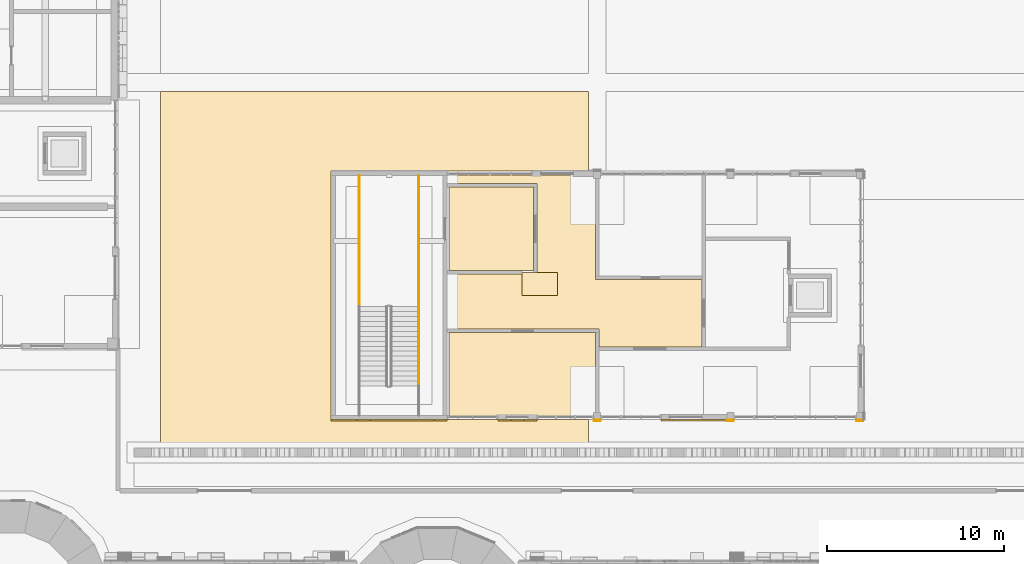
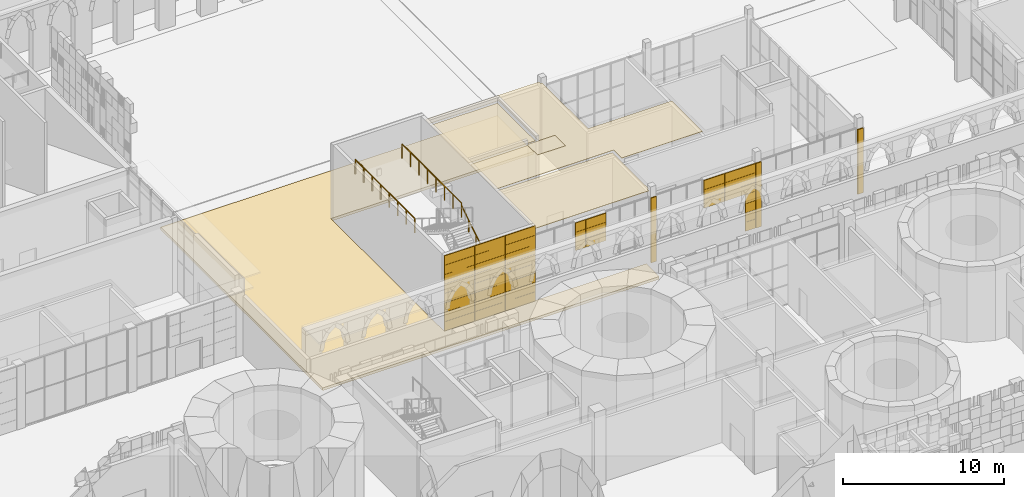
# One storey, part 96 of 125: 7 coverings, 3 railings.
"""IFC4 building model written with IfcOpenShell, lengths in metres."""

from ifc_helpers import new_model, si_unit, direction, frame, origin, origin_2d, place, context, subcontext, project, spatial, polyline, rectangle, circle, outline, extrude, material, layer, layer_set, type_object, element, save


model = new_model("IFC4")

# Units and contexts
model_context = context("Model", 3, precision=1e-05, world=origin(), true_north=direction((0.0, 1.0)))
body_context = subcontext(model_context, "Body", "Model", "MODEL_VIEW")
ifc_project = project(units=[si_unit("LENGTHUNIT", "METRE"), si_unit("AREAUNIT", "SQUARE_METRE"), si_unit("VOLUMEUNIT", "CUBIC_METRE"), si_unit("PLANEANGLEUNIT", "RADIAN"), si_unit("MASSUNIT", "GRAM", prefix="KILO")], contexts=[model_context])

# Site, building, storey
site_placement = place(None, origin())
site = spatial("IfcSite", under=ifc_project, at=site_placement, CompositionType="ELEMENT")
building_placement = place(site_placement, origin())
building = spatial("IfcBuilding", under=site, at=building_placement, Name="Sun Court Science Centre", CompositionType="ELEMENT")
storey_placement = place(building_placement, origin())
storey = spatial("IfcBuildingStorey", under=building, at=storey_placement, Name="L00", CompositionType="ELEMENT", Elevation=0.0)

# Coverings
ifc_material_1 = material(Name="Gypsum board")
ifc_layer_1 = layer(ifc_material_1, 0.030029296875)
ifc_layer_set_1 = layer_set([ifc_layer_1], Name="Gypsum board")
covering_type_1 = type_object("IfcCoveringType", Name="Ceiling suspended 600 module", PredefinedType="CEILING", material=ifc_layer_set_1)
covering_1_placement = place(storey_placement, frame((0.0, 0.0, 5.27001953125)))
element("IfcCovering", 1, at=covering_1_placement, inside=storey, type_object=covering_type_1, Name="L00-093 ceiling", PredefinedType="CEILING", context=body_context, shape_type="SweptSolid", body=[
    extrude(outline(polyline([(42.64990234375, 36.199951171875), (42.64990234375, 40.89990234375), (50.89990234375, 40.89990234375), (50.89990234375, 36.39990234375), (50.800048828125, 36.39990234375), (50.800048828125, 36.199951171875), (42.64990234375, 36.199951171875)])), origin(), (0.0, 0.0, 1.0), 0.030029296875),
])
covering_2_placement = place(storey_placement, frame((0.0, 0.0, 5.27001953125)))
element("IfcCovering", 2, at=covering_2_placement, inside=storey, type_object=covering_type_1, Name="L00-094 ceiling", PredefinedType="CEILING", context=body_context, shape_type="SweptSolid", body=[
    extrude(outline(polyline([(42.64990234375, 49.10009765625), (47.39990234375, 49.10009765625), (47.39990234375, 44.39990234375), (42.64990234375, 44.39990234375), (42.64990234375, 49.10009765625)])), origin(), (0.0, 0.0, 1.0), 0.030029296875),
])
covering_3_placement = place(storey_placement, frame((0.0, 0.0, 5.27001953125)))
element("IfcCovering", 3, at=covering_3_placement, inside=storey, type_object=covering_type_1, Name="L00-095 ceiling", PredefinedType="CEILING", context=body_context, shape_type="SweptSolid", body=[
    extrude(outline(polyline([(46.75, 43.0), (48.75, 43.0), (48.75, 44.300048828125), (47.60009765625, 44.300048828125), (47.60009765625, 49.300048828125), (42.64990234375, 49.300048828125), (42.64990234375, 49.800048828125), (50.800048828125, 49.800048828125), (50.800048828125, 49.60009765625), (50.89990234375, 49.60009765625), (50.89990234375, 43.89990234375), (56.89990234375, 43.89990234375), (56.89990234375, 40.10009765625), (51.10009765625, 40.10009765625), (51.10009765625, 41.10009765625), (42.64990234375, 41.10009765625), (42.64990234375, 44.199951171875), (46.75, 44.199951171875), (46.75, 43.0)])), origin(), (0.0, 0.0, 1.0), 0.030029296875),
])
covering_4_placement = place(storey_placement, frame((0.0, 0.0, 5.27001953125)))
element("IfcCovering", 4, at=covering_4_placement, inside=storey, type_object=covering_type_1, Name="L00-099 ceiling", PredefinedType="CEILING", context=body_context, shape_type="SweptSolid", body=[
    extrude(outline(polyline([(48.75, 44.300048828125), (48.75, 43.0), (46.75, 43.0), (46.75, 44.300048828125), (48.75, 44.300048828125)])), origin(), (0.0, 0.0, 1.0), 0.030029296875),
])

# Railings
ifc_material_2 = material(Name="Steel S275", Category="steel")
railing_type_1 = type_object("IfcRailingType", Name="Guard 1100 steel balustrade", PredefinedType="GUARDRAIL", material=ifc_material_2)
for number, where, name in (
    (5, (40.947998046875, 42.3779296875, 3.0), "L00 SP1 stair guard 3"),
    (6, (37.60205078125, 42.3779296875, 3.0), "L00 SP1 stair guard 4"),
):
    element("IfcRailing", number, at=place(storey_placement, frame(where)), inside=storey, type_object=railing_type_1, Name=name, PredefinedType="GUARDRAIL", context=body_context, shape_type="SweptSolid", body=[
        extrude(circle(Radius=0.02392578125, at=origin_2d()), frame((0.0, 0.0, 1.076171875), z_axis=(0.0, 1.0, 0.0), x_axis=(-1.0, 0.0, 0.0)), (0.0, 0.0, 1.0), 7.3720703125),
        extrude(circle(Radius=0.02099609375, at=origin_2d()), origin(), (0.0, 0.0, 1.0), 1.052001953125),
        extrude(circle(Radius=0.02099609375, at=origin_2d()), frame((0.0, 1.05322265625, 0.0)), (0.0, 0.0, 1.0), 1.052001953125),
        extrude(circle(Radius=0.02099609375, at=origin_2d()), frame((0.0, 2.106201171875, 0.0)), (0.0, 0.0, 1.0), 1.052001953125),
        extrude(circle(Radius=0.02099609375, at=origin_2d()), frame((0.0, 3.159423828125, 0.0)), (0.0, 0.0, 1.0), 1.052001953125),
        extrude(circle(Radius=0.02099609375, at=origin_2d()), frame((0.0, 4.212646484375, 0.0)), (0.0, 0.0, 1.0), 1.052001953125),
        extrude(circle(Radius=0.02099609375, at=origin_2d()), frame((0.0, 5.265869140625, 0.0)), (0.0, 0.0, 1.0), 1.052001953125),
        extrude(circle(Radius=0.02099609375, at=origin_2d()), frame((0.0, 6.31884765625, 0.0)), (0.0, 0.0, 1.0), 1.052001953125),
        extrude(circle(Radius=0.02099609375, at=origin_2d()), frame((0.0, 7.3720703125, 0.0)), (0.0, 0.0, 1.0), 1.052001953125),
    ])
ifc_material_3 = material(Name="Stainless steel", Category="steel")
railing_type_2 = type_object("IfcRailingType", Name="Handrail 900 stainless", PredefinedType="HANDRAIL", material=ifc_material_3)
railing_placement = place(storey_placement, frame((40.947998046875, 37.89794921875, 0.176513671875)))
element("IfcRailing", 7, at=railing_placement, inside=storey, type_object=railing_type_2, Name="L00 SP1 stair handrail 1", PredefinedType="HANDRAIL", context=body_context, shape_type="SweptSolid", body=[
    extrude(circle(Radius=0.02392578125, at=origin_2d()), frame((0.0, 0.0, 0.8759765625), z_axis=(0.0, 0.845997938375, 0.533186166611), x_axis=(-1.0, 0.0, 0.0)), (0.0, 0.0, 1.0), 5.29541015625),
    extrude(circle(Radius=0.02099609375, at=origin_2d()), origin(), (0.0, 0.0, 1.0), 0.851806640625),
    extrude(circle(Radius=0.02099609375, at=origin_2d()), frame((0.0, 0.89599609375, 0.564697265625)), (0.0, 0.0, 1.0), 0.851806640625),
    extrude(circle(Radius=0.02099609375, at=origin_2d()), frame((0.0, 1.7919921875, 1.12939453125)), (0.0, 0.0, 1.0), 0.851806640625),
    extrude(circle(Radius=0.02099609375, at=origin_2d()), frame((0.0, 2.68798828125, 1.694091796875)), (0.0, 0.0, 1.0), 0.851806640625),
    extrude(circle(Radius=0.02099609375, at=origin_2d()), frame((0.0, 3.583984375, 2.2587890625)), (0.0, 0.0, 1.0), 0.851806640625),
    extrude(circle(Radius=0.02099609375, at=origin_2d()), frame((0.0, 4.47998046875, 2.823486328125)), (0.0, 0.0, 1.0), 0.851806640625),
])

# Coverings
ifc_material_4 = material(Name="Planting soil and lawn")
ifc_layer_2 = layer(ifc_material_4, 0.199951171875)
ifc_layer_set_2 = layer_set([ifc_layer_2], Name="Planting soil and lawn")
covering_type_2 = type_object("IfcCoveringType", Name="Planting bed 200", PredefinedType="FLOORING", material=ifc_layer_set_2)
covering_5_placement = place(storey_placement, frame((0.0, 0.0, -0.199951171875)))
element("IfcCovering", 8, at=covering_5_placement, inside=storey, type_object=covering_type_2, Name="Planting beds", PredefinedType="FLOORING", context=body_context, shape_type="SweptSolid", body=[
    extrude(outline(polyline([(50.5, 54.5), (50.5, 50.0), (36.0, 50.0), (36.0, 36.0), (50.5, 36.0), (50.5, 34.39990234375), (26.39990234375, 34.39990234375), (26.39990234375, 54.5), (50.5, 54.5)])), origin(), (0.0, 0.0, 1.0), 0.199951171875),
])
ifc_material_5 = material(Name="Red sandstone", Category="masonry")
ifc_layer_3 = layer(ifc_material_5, 0.080078125)
ifc_layer_set_3 = layer_set([ifc_layer_3], Name="Red sandstone")
covering_type_3 = type_object("IfcCoveringType", Name="Red sandstone pier cladding", PredefinedType="CLADDING", material=ifc_layer_set_3)
covering_6_placement = place(storey_placement, origin())
element("IfcCovering", 9, at=covering_6_placement, inside=storey, type_object=covering_type_3, Name="Red sandstone pier cladding south face L00", PredefinedType="CLADDING", context=body_context, shape_type="SweptSolid", body=[
    extrude(rectangle(XDim=0.39990234375, YDim=0.080078125, at=origin_2d()), frame((65.800048828125, 35.9599609375, 0.0), z_axis=(0.0, 0.0, 1.0), x_axis=(-1.0, 0.0, 0.0)), (0.0, 0.0, 1.0), 4.89990234375),
    extrude(rectangle(XDim=0.39990234375, YDim=0.080078125, at=origin_2d()), frame((58.5, 35.9599609375, 0.0), z_axis=(0.0, 0.0, 1.0), x_axis=(-1.0, 0.0, 0.0)), (0.0, 0.0, 1.0), 4.89990234375),
    extrude(rectangle(XDim=0.39990234375, YDim=0.080078125, at=origin_2d()), frame((51.0, 35.9599609375, 0.0), z_axis=(0.0, 0.0, 1.0), x_axis=(-1.0, 0.0, 0.0)), (0.0, 0.0, 1.0), 4.89990234375),
])
ifc_material_6 = material(Name="Red sandstone", Category="masonry")
ifc_layer_4 = layer(ifc_material_6, 0.06005859375)
ifc_layer_set_4 = layer_set([ifc_layer_4], Name="Red sandstone")
covering_type_4 = type_object("IfcCoveringType", Name="Red sandstone wall cladding 750", PredefinedType="CLADDING", material=ifc_layer_set_4)
covering_7_placement = place(storey_placement, origin())
element("IfcCovering", 10, at=covering_7_placement, inside=storey, type_object=covering_type_4, Name="Red sandstone wall cladding south face L00", PredefinedType="CLADDING", context=body_context, shape_type="SweptSolid", body=[
    extrude(rectangle(XDim=0.72998046875, YDim=0.06005859375, at=origin_2d()), frame((57.929931640625, 35.969970703125, 0.005126953125), z_axis=(0.0, 0.0, 1.0), x_axis=(-1.0, 0.0, 0.0)), (0.0, 0.0, 1.0), 0.68994140625),
    extrude(rectangle(XDim=0.72998046875, YDim=0.06005859375, at=origin_2d()), frame((57.929931640625, 35.969970703125, 0.705078125), z_axis=(0.0, 0.0, 1.0), x_axis=(-1.0, 0.0, 0.0)), (0.0, 0.0, 1.0), 0.68994140625),
    extrude(rectangle(XDim=0.72998046875, YDim=0.06005859375, at=origin_2d()), frame((57.929931640625, 35.969970703125, 1.405029296875), z_axis=(0.0, 0.0, 1.0), x_axis=(-1.0, 0.0, 0.0)), (0.0, 0.0, 1.0), 0.68994140625),
    extrude(rectangle(XDim=0.72998046875, YDim=0.06005859375, at=origin_2d()), frame((57.929931640625, 35.969970703125, 2.10498046875), z_axis=(0.0, 0.0, 1.0), x_axis=(-1.0, 0.0, 0.0)), (0.0, 0.0, 1.0), 0.68994140625),
    extrude(rectangle(XDim=0.72998046875, YDim=0.06005859375, at=origin_2d()), frame((57.929931640625, 35.969970703125, 2.804931640625), z_axis=(0.0, 0.0, 1.0), x_axis=(-1.0, 0.0, 0.0)), (0.0, 0.0, 1.0), 0.68994140625),
    extrude(rectangle(XDim=0.72998046875, YDim=0.06005859375, at=origin_2d()), frame((57.18994140625, 35.969970703125, 2.804931640625), z_axis=(0.0, 0.0, 1.0), x_axis=(-1.0, 0.0, 0.0)), (0.0, 0.0, 1.0), 0.68994140625),
    extrude(rectangle(XDim=0.72998046875, YDim=0.06005859375, at=origin_2d()), frame((56.449951171875, 35.969970703125, 2.804931640625), z_axis=(0.0, 0.0, 1.0), x_axis=(-1.0, 0.0, 0.0)), (0.0, 0.0, 1.0), 0.68994140625),
    extrude(rectangle(XDim=0.72998046875, YDim=0.06005859375, at=origin_2d()), frame((55.7099609375, 35.969970703125, 2.804931640625), z_axis=(0.0, 0.0, 1.0), x_axis=(-1.0, 0.0, 0.0)), (0.0, 0.0, 1.0), 0.68994140625),
    extrude(rectangle(XDim=0.72998046875, YDim=0.06005859375, at=origin_2d()), frame((54.969970703125, 35.969970703125, 2.804931640625), z_axis=(0.0, 0.0, 1.0), x_axis=(-1.0, 0.0, 0.0)), (0.0, 0.0, 1.0), 0.68994140625),
    extrude(rectangle(XDim=0.72998046875, YDim=0.06005859375, at=origin_2d()), frame((57.929931640625, 35.969970703125, 3.505126953125), z_axis=(0.0, 0.0, 1.0), x_axis=(-1.0, 0.0, 0.0)), (0.0, 0.0, 1.0), 0.68994140625),
    extrude(rectangle(XDim=0.72998046875, YDim=0.06005859375, at=origin_2d()), frame((57.18994140625, 35.969970703125, 3.505126953125), z_axis=(0.0, 0.0, 1.0), x_axis=(-1.0, 0.0, 0.0)), (0.0, 0.0, 1.0), 0.68994140625),
    extrude(rectangle(XDim=0.72998046875, YDim=0.06005859375, at=origin_2d()), frame((56.449951171875, 35.969970703125, 3.505126953125), z_axis=(0.0, 0.0, 1.0), x_axis=(-1.0, 0.0, 0.0)), (0.0, 0.0, 1.0), 0.68994140625),
    extrude(rectangle(XDim=0.72998046875, YDim=0.06005859375, at=origin_2d()), frame((55.7099609375, 35.969970703125, 3.505126953125), z_axis=(0.0, 0.0, 1.0), x_axis=(-1.0, 0.0, 0.0)), (0.0, 0.0, 1.0), 0.68994140625),
    extrude(rectangle(XDim=0.72998046875, YDim=0.06005859375, at=origin_2d()), frame((54.969970703125, 35.969970703125, 3.505126953125), z_axis=(0.0, 0.0, 1.0), x_axis=(-1.0, 0.0, 0.0)), (0.0, 0.0, 1.0), 0.68994140625),
    extrude(rectangle(XDim=0.72998046875, YDim=0.06005859375, at=origin_2d()), frame((57.929931640625, 35.969970703125, 4.205078125), z_axis=(0.0, 0.0, 1.0), x_axis=(-1.0, 0.0, 0.0)), (0.0, 0.0, 1.0), 0.68994140625),
    extrude(rectangle(XDim=0.72998046875, YDim=0.06005859375, at=origin_2d()), frame((57.18994140625, 35.969970703125, 4.205078125), z_axis=(0.0, 0.0, 1.0), x_axis=(-1.0, 0.0, 0.0)), (0.0, 0.0, 1.0), 0.68994140625),
    extrude(rectangle(XDim=0.72998046875, YDim=0.06005859375, at=origin_2d()), frame((56.449951171875, 35.969970703125, 4.205078125), z_axis=(0.0, 0.0, 1.0), x_axis=(-1.0, 0.0, 0.0)), (0.0, 0.0, 1.0), 0.68994140625),
    extrude(rectangle(XDim=0.72998046875, YDim=0.06005859375, at=origin_2d()), frame((55.7099609375, 35.969970703125, 4.205078125), z_axis=(0.0, 0.0, 1.0), x_axis=(-1.0, 0.0, 0.0)), (0.0, 0.0, 1.0), 0.68994140625),
    extrude(rectangle(XDim=0.72998046875, YDim=0.06005859375, at=origin_2d()), frame((54.969970703125, 35.969970703125, 4.205078125), z_axis=(0.0, 0.0, 1.0), x_axis=(-1.0, 0.0, 0.0)), (0.0, 0.0, 1.0), 0.68994140625),
    extrude(rectangle(XDim=0.723388671875, YDim=0.06005859375, at=origin_2d()), frame((47.2333984375, 35.969970703125, 2.804931640625), z_axis=(0.0, 0.0, 1.0), x_axis=(-1.0, 0.0, 0.0)), (0.0, 0.0, 1.0), 0.68994140625),
    extrude(rectangle(XDim=0.723388671875, YDim=0.06005859375, at=origin_2d()), frame((46.5, 35.969970703125, 2.804931640625), z_axis=(0.0, 0.0, 1.0), x_axis=(-1.0, 0.0, 0.0)), (0.0, 0.0, 1.0), 0.68994140625),
    extrude(rectangle(XDim=0.723388671875, YDim=0.06005859375, at=origin_2d()), frame((45.7666015625, 35.969970703125, 2.804931640625), z_axis=(0.0, 0.0, 1.0), x_axis=(-1.0, 0.0, 0.0)), (0.0, 0.0, 1.0), 0.68994140625),
    extrude(rectangle(XDim=0.723388671875, YDim=0.06005859375, at=origin_2d()), frame((47.2333984375, 35.969970703125, 3.505126953125), z_axis=(0.0, 0.0, 1.0), x_axis=(-1.0, 0.0, 0.0)), (0.0, 0.0, 1.0), 0.68994140625),
    extrude(rectangle(XDim=0.723388671875, YDim=0.06005859375, at=origin_2d()), frame((46.5, 35.969970703125, 3.505126953125), z_axis=(0.0, 0.0, 1.0), x_axis=(-1.0, 0.0, 0.0)), (0.0, 0.0, 1.0), 0.68994140625),
    extrude(rectangle(XDim=0.723388671875, YDim=0.06005859375, at=origin_2d()), frame((45.7666015625, 35.969970703125, 3.505126953125), z_axis=(0.0, 0.0, 1.0), x_axis=(-1.0, 0.0, 0.0)), (0.0, 0.0, 1.0), 0.68994140625),
    extrude(rectangle(XDim=0.723388671875, YDim=0.06005859375, at=origin_2d()), frame((47.2333984375, 35.969970703125, 4.205078125), z_axis=(0.0, 0.0, 1.0), x_axis=(-1.0, 0.0, 0.0)), (0.0, 0.0, 1.0), 0.68994140625),
    extrude(rectangle(XDim=0.723388671875, YDim=0.06005859375, at=origin_2d()), frame((46.5, 35.969970703125, 4.205078125), z_axis=(0.0, 0.0, 1.0), x_axis=(-1.0, 0.0, 0.0)), (0.0, 0.0, 1.0), 0.68994140625),
    extrude(rectangle(XDim=0.723388671875, YDim=0.06005859375, at=origin_2d()), frame((45.7666015625, 35.969970703125, 4.205078125), z_axis=(0.0, 0.0, 1.0), x_axis=(-1.0, 0.0, 0.0)), (0.0, 0.0, 1.0), 0.68994140625),
    extrude(rectangle(XDim=0.7177734375, YDim=0.06005859375, at=origin_2d()), frame((42.18603515625, 35.969970703125, 0.0048828125), z_axis=(0.0, 0.0, 1.0), x_axis=(-1.0, 0.0, 0.0)), (0.0, 0.0, 1.0), 0.702392578125),
    extrude(rectangle(XDim=0.7177734375, YDim=0.06005859375, at=origin_2d()), frame((41.458251953125, 35.969970703125, 0.0048828125), z_axis=(0.0, 0.0, 1.0), x_axis=(-1.0, 0.0, 0.0)), (0.0, 0.0, 1.0), 0.702392578125),
    extrude(rectangle(XDim=0.7177734375, YDim=0.06005859375, at=origin_2d()), frame((40.73046875, 35.969970703125, 0.0048828125), z_axis=(0.0, 0.0, 1.0), x_axis=(-1.0, 0.0, 0.0)), (0.0, 0.0, 1.0), 0.702392578125),
    extrude(rectangle(XDim=0.7177734375, YDim=0.06005859375, at=origin_2d()), frame((40.002685546875, 35.969970703125, 0.0048828125), z_axis=(0.0, 0.0, 1.0), x_axis=(-1.0, 0.0, 0.0)), (0.0, 0.0, 1.0), 0.702392578125),
    extrude(rectangle(XDim=0.7177734375, YDim=0.06005859375, at=origin_2d()), frame((39.27490234375, 35.969970703125, 0.0048828125), z_axis=(0.0, 0.0, 1.0), x_axis=(-1.0, 0.0, 0.0)), (0.0, 0.0, 1.0), 0.702392578125),
    extrude(rectangle(XDim=0.7177734375, YDim=0.06005859375, at=origin_2d()), frame((38.547119140625, 35.969970703125, 0.0048828125), z_axis=(0.0, 0.0, 1.0), x_axis=(-1.0, 0.0, 0.0)), (0.0, 0.0, 1.0), 0.702392578125),
    extrude(rectangle(XDim=0.7177734375, YDim=0.06005859375, at=origin_2d()), frame((37.8193359375, 35.969970703125, 0.0048828125), z_axis=(0.0, 0.0, 1.0), x_axis=(-1.0, 0.0, 0.0)), (0.0, 0.0, 1.0), 0.702392578125),
    extrude(rectangle(XDim=0.7177734375, YDim=0.06005859375, at=origin_2d()), frame((37.091552734375, 35.969970703125, 0.0048828125), z_axis=(0.0, 0.0, 1.0), x_axis=(-1.0, 0.0, 0.0)), (0.0, 0.0, 1.0), 0.702392578125),
    extrude(rectangle(XDim=0.7177734375, YDim=0.06005859375, at=origin_2d()), frame((36.36376953125, 35.969970703125, 0.0048828125), z_axis=(0.0, 0.0, 1.0), x_axis=(-1.0, 0.0, 0.0)), (0.0, 0.0, 1.0), 0.702392578125),
    extrude(rectangle(XDim=0.7177734375, YDim=0.06005859375, at=origin_2d()), frame((42.18603515625, 35.969970703125, 0.7177734375), z_axis=(0.0, 0.0, 1.0), x_axis=(-1.0, 0.0, 0.0)), (0.0, 0.0, 1.0), 0.702392578125),
    extrude(rectangle(XDim=0.7177734375, YDim=0.06005859375, at=origin_2d()), frame((41.458251953125, 35.969970703125, 0.7177734375), z_axis=(0.0, 0.0, 1.0), x_axis=(-1.0, 0.0, 0.0)), (0.0, 0.0, 1.0), 0.702392578125),
    extrude(rectangle(XDim=0.7177734375, YDim=0.06005859375, at=origin_2d()), frame((40.73046875, 35.969970703125, 0.7177734375), z_axis=(0.0, 0.0, 1.0), x_axis=(-1.0, 0.0, 0.0)), (0.0, 0.0, 1.0), 0.702392578125),
    extrude(rectangle(XDim=0.7177734375, YDim=0.06005859375, at=origin_2d()), frame((40.002685546875, 35.969970703125, 0.7177734375), z_axis=(0.0, 0.0, 1.0), x_axis=(-1.0, 0.0, 0.0)), (0.0, 0.0, 1.0), 0.702392578125),
    extrude(rectangle(XDim=0.7177734375, YDim=0.06005859375, at=origin_2d()), frame((39.27490234375, 35.969970703125, 0.7177734375), z_axis=(0.0, 0.0, 1.0), x_axis=(-1.0, 0.0, 0.0)), (0.0, 0.0, 1.0), 0.702392578125),
    extrude(rectangle(XDim=0.7177734375, YDim=0.06005859375, at=origin_2d()), frame((38.547119140625, 35.969970703125, 0.7177734375), z_axis=(0.0, 0.0, 1.0), x_axis=(-1.0, 0.0, 0.0)), (0.0, 0.0, 1.0), 0.702392578125),
    extrude(rectangle(XDim=0.7177734375, YDim=0.06005859375, at=origin_2d()), frame((37.8193359375, 35.969970703125, 0.7177734375), z_axis=(0.0, 0.0, 1.0), x_axis=(-1.0, 0.0, 0.0)), (0.0, 0.0, 1.0), 0.702392578125),
    extrude(rectangle(XDim=0.7177734375, YDim=0.06005859375, at=origin_2d()), frame((37.091552734375, 35.969970703125, 0.7177734375), z_axis=(0.0, 0.0, 1.0), x_axis=(-1.0, 0.0, 0.0)), (0.0, 0.0, 1.0), 0.702392578125),
    extrude(rectangle(XDim=0.7177734375, YDim=0.06005859375, at=origin_2d()), frame((36.36376953125, 35.969970703125, 0.7177734375), z_axis=(0.0, 0.0, 1.0), x_axis=(-1.0, 0.0, 0.0)), (0.0, 0.0, 1.0), 0.702392578125),
    extrude(rectangle(XDim=0.7177734375, YDim=0.06005859375, at=origin_2d()), frame((42.18603515625, 35.969970703125, 1.43017578125), z_axis=(0.0, 0.0, 1.0), x_axis=(-1.0, 0.0, 0.0)), (0.0, 0.0, 1.0), 0.702392578125),
    extrude(rectangle(XDim=0.7177734375, YDim=0.06005859375, at=origin_2d()), frame((41.458251953125, 35.969970703125, 1.43017578125), z_axis=(0.0, 0.0, 1.0), x_axis=(-1.0, 0.0, 0.0)), (0.0, 0.0, 1.0), 0.702392578125),
    extrude(rectangle(XDim=0.7177734375, YDim=0.06005859375, at=origin_2d()), frame((40.73046875, 35.969970703125, 1.43017578125), z_axis=(0.0, 0.0, 1.0), x_axis=(-1.0, 0.0, 0.0)), (0.0, 0.0, 1.0), 0.702392578125),
    extrude(rectangle(XDim=0.7177734375, YDim=0.06005859375, at=origin_2d()), frame((40.002685546875, 35.969970703125, 1.43017578125), z_axis=(0.0, 0.0, 1.0), x_axis=(-1.0, 0.0, 0.0)), (0.0, 0.0, 1.0), 0.702392578125),
    extrude(rectangle(XDim=0.7177734375, YDim=0.06005859375, at=origin_2d()), frame((39.27490234375, 35.969970703125, 1.43017578125), z_axis=(0.0, 0.0, 1.0), x_axis=(-1.0, 0.0, 0.0)), (0.0, 0.0, 1.0), 0.702392578125),
    extrude(rectangle(XDim=0.7177734375, YDim=0.06005859375, at=origin_2d()), frame((38.547119140625, 35.969970703125, 1.43017578125), z_axis=(0.0, 0.0, 1.0), x_axis=(-1.0, 0.0, 0.0)), (0.0, 0.0, 1.0), 0.702392578125),
    extrude(rectangle(XDim=0.7177734375, YDim=0.06005859375, at=origin_2d()), frame((37.8193359375, 35.969970703125, 1.43017578125), z_axis=(0.0, 0.0, 1.0), x_axis=(-1.0, 0.0, 0.0)), (0.0, 0.0, 1.0), 0.702392578125),
    extrude(rectangle(XDim=0.7177734375, YDim=0.06005859375, at=origin_2d()), frame((37.091552734375, 35.969970703125, 1.43017578125), z_axis=(0.0, 0.0, 1.0), x_axis=(-1.0, 0.0, 0.0)), (0.0, 0.0, 1.0), 0.702392578125),
    extrude(rectangle(XDim=0.7177734375, YDim=0.06005859375, at=origin_2d()), frame((36.36376953125, 35.969970703125, 1.43017578125), z_axis=(0.0, 0.0, 1.0), x_axis=(-1.0, 0.0, 0.0)), (0.0, 0.0, 1.0), 0.702392578125),
    extrude(rectangle(XDim=0.7177734375, YDim=0.06005859375, at=origin_2d()), frame((42.18603515625, 35.969970703125, 2.142578125), z_axis=(0.0, 0.0, 1.0), x_axis=(-1.0, 0.0, 0.0)), (0.0, 0.0, 1.0), 0.702392578125),
    extrude(rectangle(XDim=0.7177734375, YDim=0.06005859375, at=origin_2d()), frame((41.458251953125, 35.969970703125, 2.142578125), z_axis=(0.0, 0.0, 1.0), x_axis=(-1.0, 0.0, 0.0)), (0.0, 0.0, 1.0), 0.702392578125),
    extrude(rectangle(XDim=0.7177734375, YDim=0.06005859375, at=origin_2d()), frame((40.73046875, 35.969970703125, 2.142578125), z_axis=(0.0, 0.0, 1.0), x_axis=(-1.0, 0.0, 0.0)), (0.0, 0.0, 1.0), 0.702392578125),
    extrude(rectangle(XDim=0.7177734375, YDim=0.06005859375, at=origin_2d()), frame((40.002685546875, 35.969970703125, 2.142578125), z_axis=(0.0, 0.0, 1.0), x_axis=(-1.0, 0.0, 0.0)), (0.0, 0.0, 1.0), 0.702392578125),
    extrude(rectangle(XDim=0.7177734375, YDim=0.06005859375, at=origin_2d()), frame((39.27490234375, 35.969970703125, 2.142578125), z_axis=(0.0, 0.0, 1.0), x_axis=(-1.0, 0.0, 0.0)), (0.0, 0.0, 1.0), 0.702392578125),
    extrude(rectangle(XDim=0.7177734375, YDim=0.06005859375, at=origin_2d()), frame((38.547119140625, 35.969970703125, 2.142578125), z_axis=(0.0, 0.0, 1.0), x_axis=(-1.0, 0.0, 0.0)), (0.0, 0.0, 1.0), 0.702392578125),
    extrude(rectangle(XDim=0.7177734375, YDim=0.06005859375, at=origin_2d()), frame((37.8193359375, 35.969970703125, 2.142578125), z_axis=(0.0, 0.0, 1.0), x_axis=(-1.0, 0.0, 0.0)), (0.0, 0.0, 1.0), 0.702392578125),
    extrude(rectangle(XDim=0.7177734375, YDim=0.06005859375, at=origin_2d()), frame((37.091552734375, 35.969970703125, 2.142578125), z_axis=(0.0, 0.0, 1.0), x_axis=(-1.0, 0.0, 0.0)), (0.0, 0.0, 1.0), 0.702392578125),
    extrude(rectangle(XDim=0.7177734375, YDim=0.06005859375, at=origin_2d()), frame((36.36376953125, 35.969970703125, 2.142578125), z_axis=(0.0, 0.0, 1.0), x_axis=(-1.0, 0.0, 0.0)), (0.0, 0.0, 1.0), 0.702392578125),
    extrude(rectangle(XDim=0.7177734375, YDim=0.06005859375, at=origin_2d()), frame((42.18603515625, 35.969970703125, 2.85498046875), z_axis=(0.0, 0.0, 1.0), x_axis=(-1.0, 0.0, 0.0)), (0.0, 0.0, 1.0), 0.702392578125),
    extrude(rectangle(XDim=0.7177734375, YDim=0.06005859375, at=origin_2d()), frame((41.458251953125, 35.969970703125, 2.85498046875), z_axis=(0.0, 0.0, 1.0), x_axis=(-1.0, 0.0, 0.0)), (0.0, 0.0, 1.0), 0.702392578125),
    extrude(rectangle(XDim=0.7177734375, YDim=0.06005859375, at=origin_2d()), frame((40.73046875, 35.969970703125, 2.85498046875), z_axis=(0.0, 0.0, 1.0), x_axis=(-1.0, 0.0, 0.0)), (0.0, 0.0, 1.0), 0.702392578125),
    extrude(rectangle(XDim=0.7177734375, YDim=0.06005859375, at=origin_2d()), frame((40.002685546875, 35.969970703125, 2.85498046875), z_axis=(0.0, 0.0, 1.0), x_axis=(-1.0, 0.0, 0.0)), (0.0, 0.0, 1.0), 0.702392578125),
    extrude(rectangle(XDim=0.7177734375, YDim=0.06005859375, at=origin_2d()), frame((39.27490234375, 35.969970703125, 2.85498046875), z_axis=(0.0, 0.0, 1.0), x_axis=(-1.0, 0.0, 0.0)), (0.0, 0.0, 1.0), 0.702392578125),
    extrude(rectangle(XDim=0.7177734375, YDim=0.06005859375, at=origin_2d()), frame((38.547119140625, 35.969970703125, 2.85498046875), z_axis=(0.0, 0.0, 1.0), x_axis=(-1.0, 0.0, 0.0)), (0.0, 0.0, 1.0), 0.702392578125),
    extrude(rectangle(XDim=0.7177734375, YDim=0.06005859375, at=origin_2d()), frame((37.8193359375, 35.969970703125, 2.85498046875), z_axis=(0.0, 0.0, 1.0), x_axis=(-1.0, 0.0, 0.0)), (0.0, 0.0, 1.0), 0.702392578125),
    extrude(rectangle(XDim=0.7177734375, YDim=0.06005859375, at=origin_2d()), frame((37.091552734375, 35.969970703125, 2.85498046875), z_axis=(0.0, 0.0, 1.0), x_axis=(-1.0, 0.0, 0.0)), (0.0, 0.0, 1.0), 0.702392578125),
    extrude(rectangle(XDim=0.7177734375, YDim=0.06005859375, at=origin_2d()), frame((36.36376953125, 35.969970703125, 2.85498046875), z_axis=(0.0, 0.0, 1.0), x_axis=(-1.0, 0.0, 0.0)), (0.0, 0.0, 1.0), 0.702392578125),
    extrude(rectangle(XDim=0.7177734375, YDim=0.06005859375, at=origin_2d()), frame((42.18603515625, 35.969970703125, 3.5673828125), z_axis=(0.0, 0.0, 1.0), x_axis=(-1.0, 0.0, 0.0)), (0.0, 0.0, 1.0), 0.702392578125),
    extrude(rectangle(XDim=0.7177734375, YDim=0.06005859375, at=origin_2d()), frame((41.458251953125, 35.969970703125, 3.5673828125), z_axis=(0.0, 0.0, 1.0), x_axis=(-1.0, 0.0, 0.0)), (0.0, 0.0, 1.0), 0.702392578125),
    extrude(rectangle(XDim=0.7177734375, YDim=0.06005859375, at=origin_2d()), frame((40.73046875, 35.969970703125, 3.5673828125), z_axis=(0.0, 0.0, 1.0), x_axis=(-1.0, 0.0, 0.0)), (0.0, 0.0, 1.0), 0.702392578125),
    extrude(rectangle(XDim=0.7177734375, YDim=0.06005859375, at=origin_2d()), frame((40.002685546875, 35.969970703125, 3.5673828125), z_axis=(0.0, 0.0, 1.0), x_axis=(-1.0, 0.0, 0.0)), (0.0, 0.0, 1.0), 0.702392578125),
    extrude(rectangle(XDim=0.7177734375, YDim=0.06005859375, at=origin_2d()), frame((39.27490234375, 35.969970703125, 3.5673828125), z_axis=(0.0, 0.0, 1.0), x_axis=(-1.0, 0.0, 0.0)), (0.0, 0.0, 1.0), 0.702392578125),
    extrude(rectangle(XDim=0.7177734375, YDim=0.06005859375, at=origin_2d()), frame((38.547119140625, 35.969970703125, 3.5673828125), z_axis=(0.0, 0.0, 1.0), x_axis=(-1.0, 0.0, 0.0)), (0.0, 0.0, 1.0), 0.702392578125),
    extrude(rectangle(XDim=0.7177734375, YDim=0.06005859375, at=origin_2d()), frame((37.8193359375, 35.969970703125, 3.5673828125), z_axis=(0.0, 0.0, 1.0), x_axis=(-1.0, 0.0, 0.0)), (0.0, 0.0, 1.0), 0.702392578125),
    extrude(rectangle(XDim=0.7177734375, YDim=0.06005859375, at=origin_2d()), frame((37.091552734375, 35.969970703125, 3.5673828125), z_axis=(0.0, 0.0, 1.0), x_axis=(-1.0, 0.0, 0.0)), (0.0, 0.0, 1.0), 0.702392578125),
    extrude(rectangle(XDim=0.7177734375, YDim=0.06005859375, at=origin_2d()), frame((36.36376953125, 35.969970703125, 3.5673828125), z_axis=(0.0, 0.0, 1.0), x_axis=(-1.0, 0.0, 0.0)), (0.0, 0.0, 1.0), 0.702392578125),
    extrude(rectangle(XDim=0.7177734375, YDim=0.06005859375, at=origin_2d()), frame((42.18603515625, 35.969970703125, 4.2802734375), z_axis=(0.0, 0.0, 1.0), x_axis=(-1.0, 0.0, 0.0)), (0.0, 0.0, 1.0), 0.702392578125),
    extrude(rectangle(XDim=0.7177734375, YDim=0.06005859375, at=origin_2d()), frame((41.458251953125, 35.969970703125, 4.2802734375), z_axis=(0.0, 0.0, 1.0), x_axis=(-1.0, 0.0, 0.0)), (0.0, 0.0, 1.0), 0.702392578125),
    extrude(rectangle(XDim=0.7177734375, YDim=0.06005859375, at=origin_2d()), frame((40.73046875, 35.969970703125, 4.2802734375), z_axis=(0.0, 0.0, 1.0), x_axis=(-1.0, 0.0, 0.0)), (0.0, 0.0, 1.0), 0.702392578125),
    extrude(rectangle(XDim=0.7177734375, YDim=0.06005859375, at=origin_2d()), frame((40.002685546875, 35.969970703125, 4.2802734375), z_axis=(0.0, 0.0, 1.0), x_axis=(-1.0, 0.0, 0.0)), (0.0, 0.0, 1.0), 0.702392578125),
    extrude(rectangle(XDim=0.7177734375, YDim=0.06005859375, at=origin_2d()), frame((39.27490234375, 35.969970703125, 4.2802734375), z_axis=(0.0, 0.0, 1.0), x_axis=(-1.0, 0.0, 0.0)), (0.0, 0.0, 1.0), 0.702392578125),
    extrude(rectangle(XDim=0.7177734375, YDim=0.06005859375, at=origin_2d()), frame((38.547119140625, 35.969970703125, 4.2802734375), z_axis=(0.0, 0.0, 1.0), x_axis=(-1.0, 0.0, 0.0)), (0.0, 0.0, 1.0), 0.702392578125),
    extrude(rectangle(XDim=0.7177734375, YDim=0.06005859375, at=origin_2d()), frame((37.8193359375, 35.969970703125, 4.2802734375), z_axis=(0.0, 0.0, 1.0), x_axis=(-1.0, 0.0, 0.0)), (0.0, 0.0, 1.0), 0.702392578125),
    extrude(rectangle(XDim=0.7177734375, YDim=0.06005859375, at=origin_2d()), frame((37.091552734375, 35.969970703125, 4.2802734375), z_axis=(0.0, 0.0, 1.0), x_axis=(-1.0, 0.0, 0.0)), (0.0, 0.0, 1.0), 0.702392578125),
    extrude(rectangle(XDim=0.7177734375, YDim=0.06005859375, at=origin_2d()), frame((36.36376953125, 35.969970703125, 4.2802734375), z_axis=(0.0, 0.0, 1.0), x_axis=(-1.0, 0.0, 0.0)), (0.0, 0.0, 1.0), 0.702392578125),
    extrude(rectangle(XDim=0.7177734375, YDim=0.06005859375, at=origin_2d()), frame((42.18603515625, 35.969970703125, 4.99267578125), z_axis=(0.0, 0.0, 1.0), x_axis=(-1.0, 0.0, 0.0)), (0.0, 0.0, 1.0), 0.702392578125),
    extrude(rectangle(XDim=0.7177734375, YDim=0.06005859375, at=origin_2d()), frame((41.458251953125, 35.969970703125, 4.99267578125), z_axis=(0.0, 0.0, 1.0), x_axis=(-1.0, 0.0, 0.0)), (0.0, 0.0, 1.0), 0.702392578125),
    extrude(rectangle(XDim=0.7177734375, YDim=0.06005859375, at=origin_2d()), frame((40.73046875, 35.969970703125, 4.99267578125), z_axis=(0.0, 0.0, 1.0), x_axis=(-1.0, 0.0, 0.0)), (0.0, 0.0, 1.0), 0.702392578125),
    extrude(rectangle(XDim=0.7177734375, YDim=0.06005859375, at=origin_2d()), frame((40.002685546875, 35.969970703125, 4.99267578125), z_axis=(0.0, 0.0, 1.0), x_axis=(-1.0, 0.0, 0.0)), (0.0, 0.0, 1.0), 0.702392578125),
    extrude(rectangle(XDim=0.7177734375, YDim=0.06005859375, at=origin_2d()), frame((39.27490234375, 35.969970703125, 4.99267578125), z_axis=(0.0, 0.0, 1.0), x_axis=(-1.0, 0.0, 0.0)), (0.0, 0.0, 1.0), 0.702392578125),
    extrude(rectangle(XDim=0.7177734375, YDim=0.06005859375, at=origin_2d()), frame((38.547119140625, 35.969970703125, 4.99267578125), z_axis=(0.0, 0.0, 1.0), x_axis=(-1.0, 0.0, 0.0)), (0.0, 0.0, 1.0), 0.702392578125),
    extrude(rectangle(XDim=0.7177734375, YDim=0.06005859375, at=origin_2d()), frame((37.8193359375, 35.969970703125, 4.99267578125), z_axis=(0.0, 0.0, 1.0), x_axis=(-1.0, 0.0, 0.0)), (0.0, 0.0, 1.0), 0.702392578125),
    extrude(rectangle(XDim=0.7177734375, YDim=0.06005859375, at=origin_2d()), frame((37.091552734375, 35.969970703125, 4.99267578125), z_axis=(0.0, 0.0, 1.0), x_axis=(-1.0, 0.0, 0.0)), (0.0, 0.0, 1.0), 0.702392578125),
    extrude(rectangle(XDim=0.7177734375, YDim=0.06005859375, at=origin_2d()), frame((36.36376953125, 35.969970703125, 4.99267578125), z_axis=(0.0, 0.0, 1.0), x_axis=(-1.0, 0.0, 0.0)), (0.0, 0.0, 1.0), 0.702392578125),
])

save(model, "model.ifc")
